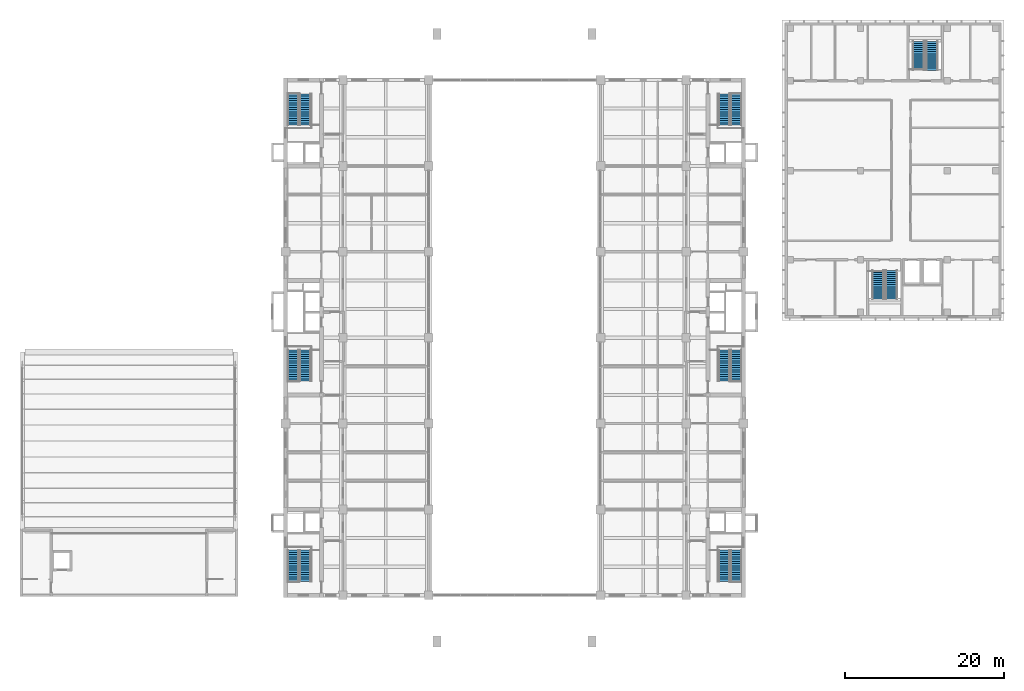
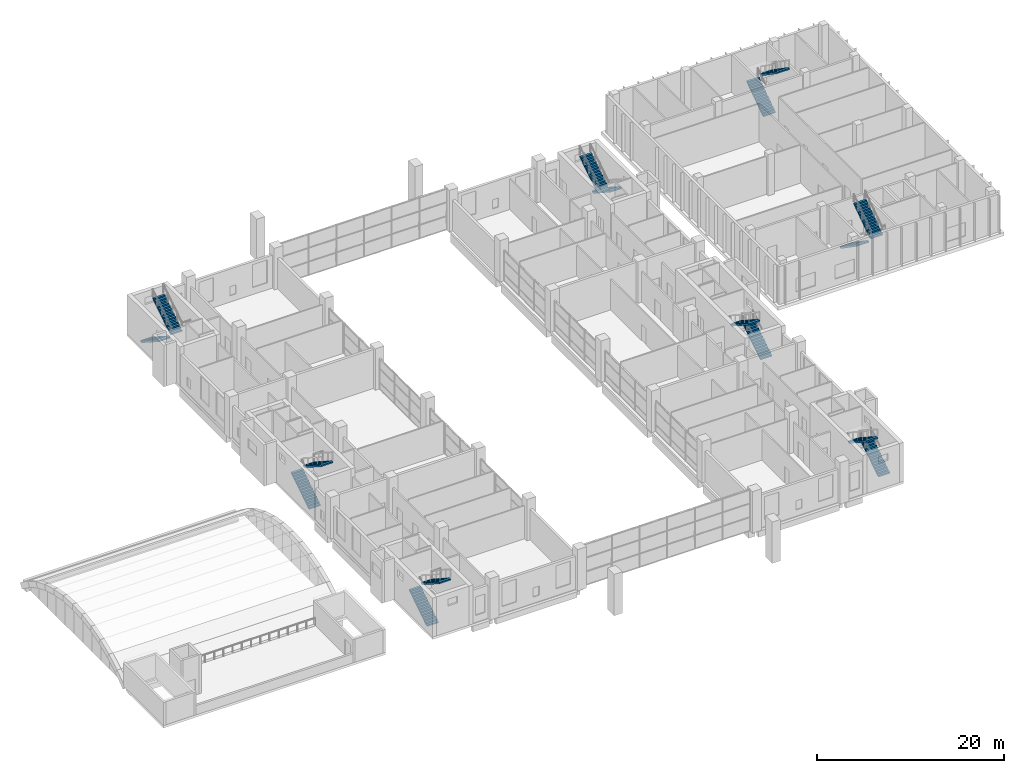
# One storey, part 27 of 32: 16 stair flights, 8 elements without a shape of their own.
"""IFC4 building model written with IfcOpenShell, lengths in metres."""

from ifc_helpers import new_model, si_unit, direction, frame, origin, place, context, subcontext, project, spatial, polyline, outline, extrude, material, type_object, element, aggregate, save


model = new_model("IFC4")

# Units and contexts
model_context = context("Model", 3, precision=1e-05, world=origin(), true_north=direction((0.0, 1.0)))
body_context = subcontext(model_context, "Body", "Model", "MODEL_VIEW")
ifc_project = project(units=[si_unit("LENGTHUNIT", "METRE"), si_unit("AREAUNIT", "SQUARE_METRE"), si_unit("VOLUMEUNIT", "CUBIC_METRE"), si_unit("PLANEANGLEUNIT", "RADIAN"), si_unit("MASSUNIT", "GRAM", prefix="KILO")], contexts=[model_context])

# Site, building, storey
site_placement = place(None, origin())
site = spatial("IfcSite", under=ifc_project, at=site_placement, CompositionType="ELEMENT")
building_placement = place(site_placement, origin())
building = spatial("IfcBuilding", under=site, at=building_placement, Name="Basin Gate Institute", CompositionType="ELEMENT")
storey_placement = place(building_placement, frame((0.0, 0.0, 11.39990234375)))
storey = spatial("IfcBuildingStorey", under=building, at=storey_placement, Name="L02", CompositionType="ELEMENT", Elevation=11.39990234375)

# Stair, stair flights
ifc_material_1 = material(Name="Concrete 40 MPa", Category="concrete")
stair_type_1 = type_object("IfcStairType", Name="Block stair ST", PredefinedType="HALF_TURN_STAIR", material=ifc_material_1)
stair_1_placement = place(storey_placement, origin())
stair_1 = element("IfcStair", 1, at=stair_1_placement, inside=storey, type_object=stair_type_1, material=ifc_material_1, Name="Clean block stair ST-C3 L02", PredefinedType="HALF_TURN_STAIR")
ifc_material_2 = material(Name="Concrete 40 MPa", Category="concrete")
stair_flight_type_1 = type_object("IfcStairFlightType", Name="Block stair flight", PredefinedType="STRAIGHT", material=ifc_material_2)
stair_flight_1_placement = place(storey_placement, frame((135.699951171875, 75.97509765625, 0.0), z_axis=(0.0, 0.0, 1.0), x_axis=(0.0, -1.0, 0.0)))
stair_flight_1 = element("IfcStairFlight", 2, at=stair_flight_1_placement, type_object=stair_flight_type_1, material=ifc_material_2, Name="ST-C3 flight 1", NumberOfRisers=15, NumberOfTreads=14, PredefinedType="STRAIGHT", RiserHeight=0.18, TreadLength=0.26, context=body_context, shape_type="SweptSolid", body=[
    extrude(outline(polyline([(0.0, 0.0), (0.0, 0.179931640625), (0.260009765625, 0.179931640625), (0.260009765625, 0.360107421875), (0.52001953125, 0.360107421875), (0.52001953125, 0.5400390625), (0.780029296875, 0.5400390625), (0.780029296875, 0.719970703125), (1.0400390625, 0.719970703125), (1.0400390625, 0.89990234375), (1.300048828125, 0.89990234375), (1.300048828125, 1.080078125), (1.56005859375, 1.080078125), (1.56005859375, 1.260009765625), (1.820068359375, 1.260009765625), (1.820068359375, 1.43994140625), (2.080078125, 1.43994140625), (2.080078125, 1.6201171875), (2.340087890625, 1.6201171875), (2.340087890625, 1.800048828125), (2.60009765625, 1.800048828125), (2.60009765625, 1.97998046875), (2.860107421875, 1.97998046875), (2.860107421875, 2.159912109375), (3.1201171875, 2.159912109375), (3.1201171875, 2.340087890625), (3.3798828125, 2.340087890625), (3.3798828125, 2.52001953125), (3.639892578125, 2.52001953125), (3.639892578125, 2.699951171875), (3.639892578125, 2.337646484375), (0.263427734375, 0.0), (0.0, 0.0)])), frame((0.0, 0.75, 0.0), z_axis=(0.0, -1.0, 0.0), x_axis=(1.0, 0.0, 0.0)), (0.0, 0.0, 1.0), 1.5),
])
stair_flight_2_placement = place(storey_placement, frame((137.39990234375, 72.3349609375, 2.7001953125), z_axis=(0.0, 0.0, 1.0), x_axis=(0.0, 1.0, 0.0)))
stair_flight_2 = element("IfcStairFlight", 3, at=stair_flight_2_placement, type_object=stair_flight_type_1, material=ifc_material_2, Name="ST-C3 flight 2", NumberOfRisers=15, NumberOfTreads=14, PredefinedType="STRAIGHT", RiserHeight=0.18, TreadLength=0.26, context=body_context, shape_type="SweptSolid", body=[
    extrude(outline(polyline([(0.0, 0.0), (0.0, 0.179931640625), (0.260009765625, 0.179931640625), (0.260009765625, 0.360107421875), (0.52001953125, 0.360107421875), (0.52001953125, 0.5400390625), (0.780029296875, 0.5400390625), (0.780029296875, 0.719970703125), (1.0400390625, 0.719970703125), (1.0400390625, 0.89990234375), (1.300048828125, 0.89990234375), (1.300048828125, 1.080078125), (1.56005859375, 1.080078125), (1.56005859375, 1.260009765625), (1.820068359375, 1.260009765625), (1.820068359375, 1.43994140625), (2.080078125, 1.43994140625), (2.080078125, 1.6201171875), (2.340087890625, 1.6201171875), (2.340087890625, 1.800048828125), (2.60009765625, 1.800048828125), (2.60009765625, 1.97998046875), (2.860107421875, 1.97998046875), (2.860107421875, 2.159912109375), (3.1201171875, 2.159912109375), (3.1201171875, 2.340087890625), (3.3798828125, 2.340087890625), (3.3798828125, 2.52001953125), (3.639892578125, 2.52001953125), (3.639892578125, 2.699951171875), (3.639892578125, 2.337646484375), (0.263427734375, 0.0), (0.0, 0.0)])), frame((0.0, 0.75, 0.0), z_axis=(0.0, -1.0, 0.0), x_axis=(1.0, 0.0, 0.0)), (0.0, 0.0, 1.0), 1.5),
])
aggregate(stair_1, [stair_flight_1, stair_flight_2])

stair_2_placement = place(storey_placement, origin())
stair_2 = element("IfcStair", 4, at=stair_2_placement, inside=storey, type_object=stair_type_1, material=ifc_material_1, Name="Clean block stair ST-C7 L02", PredefinedType="HALF_TURN_STAIR")
stair_flight_3_placement = place(storey_placement, frame((140.800048828125, 101.125, 0.0), z_axis=(0.0, 0.0, 1.0), x_axis=(0.0, 1.0, 0.0)))
stair_flight_3 = element("IfcStairFlight", 5, at=stair_flight_3_placement, type_object=stair_flight_type_1, material=ifc_material_2, Name="ST-C7 flight 1", NumberOfRisers=15, NumberOfTreads=14, PredefinedType="STRAIGHT", RiserHeight=0.18, TreadLength=0.26, context=body_context, shape_type="SweptSolid", body=[
    extrude(outline(polyline([(0.0, 0.0), (0.0, 0.179931640625), (0.260009765625, 0.179931640625), (0.260009765625, 0.360107421875), (0.52001953125, 0.360107421875), (0.52001953125, 0.5400390625), (0.780029296875, 0.5400390625), (0.780029296875, 0.719970703125), (1.0400390625, 0.719970703125), (1.0400390625, 0.89990234375), (1.300048828125, 0.89990234375), (1.300048828125, 1.080078125), (1.56005859375, 1.080078125), (1.56005859375, 1.260009765625), (1.820068359375, 1.260009765625), (1.820068359375, 1.43994140625), (2.080078125, 1.43994140625), (2.080078125, 1.6201171875), (2.340087890625, 1.6201171875), (2.340087890625, 1.800048828125), (2.60009765625, 1.800048828125), (2.60009765625, 1.97998046875), (2.860107421875, 1.97998046875), (2.860107421875, 2.159912109375), (3.1201171875, 2.159912109375), (3.1201171875, 2.340087890625), (3.3798828125, 2.340087890625), (3.3798828125, 2.52001953125), (3.639892578125, 2.52001953125), (3.639892578125, 2.699951171875), (3.639892578125, 2.337646484375), (0.263427734375, 0.0), (0.0, 0.0)])), frame((0.0, 0.75, 0.0), z_axis=(0.0, -1.0, 0.0), x_axis=(1.0, 0.0, 0.0)), (0.0, 0.0, 1.0), 1.5),
])
stair_flight_4_placement = place(storey_placement, frame((142.5, 104.764892578125, 2.7001953125), z_axis=(0.0, 0.0, 1.0), x_axis=(0.0, -1.0, 0.0)))
stair_flight_4 = element("IfcStairFlight", 6, at=stair_flight_4_placement, type_object=stair_flight_type_1, material=ifc_material_2, Name="ST-C7 flight 2", NumberOfRisers=15, NumberOfTreads=14, PredefinedType="STRAIGHT", RiserHeight=0.18, TreadLength=0.26, context=body_context, shape_type="SweptSolid", body=[
    extrude(outline(polyline([(0.0, 0.0), (0.0, 0.179931640625), (0.260009765625, 0.179931640625), (0.260009765625, 0.360107421875), (0.52001953125, 0.360107421875), (0.52001953125, 0.5400390625), (0.780029296875, 0.5400390625), (0.780029296875, 0.719970703125), (1.0400390625, 0.719970703125), (1.0400390625, 0.89990234375), (1.300048828125, 0.89990234375), (1.300048828125, 1.080078125), (1.56005859375, 1.080078125), (1.56005859375, 1.260009765625), (1.820068359375, 1.260009765625), (1.820068359375, 1.43994140625), (2.080078125, 1.43994140625), (2.080078125, 1.6201171875), (2.340087890625, 1.6201171875), (2.340087890625, 1.800048828125), (2.60009765625, 1.800048828125), (2.60009765625, 1.97998046875), (2.860107421875, 1.97998046875), (2.860107421875, 2.159912109375), (3.1201171875, 2.159912109375), (3.1201171875, 2.340087890625), (3.3798828125, 2.340087890625), (3.3798828125, 2.52001953125), (3.639892578125, 2.52001953125), (3.639892578125, 2.699951171875), (3.639892578125, 2.337646484375), (0.263427734375, 0.0), (0.0, 0.0)])), frame((0.0, 0.75, 0.0), z_axis=(0.0, -1.0, 0.0), x_axis=(1.0, 0.0, 0.0)), (0.0, 0.0, 1.0), 1.5),
])
aggregate(stair_2, [stair_flight_3, stair_flight_4])

ifc_material_3 = material(Name="Concrete 40 MPa", Category="concrete")
stair_type_2 = type_object("IfcStairType", Name="Stair ST", PredefinedType="HALF_TURN_STAIR", material=ifc_material_3)
stair_3_placement = place(storey_placement, origin())
stair_3 = element("IfcStair", 7, at=stair_3_placement, inside=storey, type_object=stair_type_2, material=ifc_material_3, Name="Special safe stair ST-WS L02", PredefinedType="HALF_TURN_STAIR")
ifc_material_4 = material(Name="Concrete 40 MPa", Category="concrete")
stair_flight_type_2 = type_object("IfcStairFlightType", Name="Stair flight FL", PredefinedType="STRAIGHT", material=ifc_material_4)
stair_flight_5_placement = place(storey_placement, frame((62.14990234375, 36.85009765625, 0.0), z_axis=(0.0, 0.0, 1.0), x_axis=(0.0, 1.0, 0.0)))
stair_flight_5 = element("IfcStairFlight", 8, at=stair_flight_5_placement, type_object=stair_flight_type_2, material=ifc_material_4, Name="Stair flight ST-WS-F1 L02", NumberOfRisers=15, NumberOfTreads=14, PredefinedType="STRAIGHT", RiserHeight=0.18, TreadLength=0.28, context=body_context, shape_type="SweptSolid", body=[
    extrude(outline(polyline([(0.0, 0.0), (0.0, 0.179931640625), (0.280029296875, 0.179931640625), (0.280029296875, 0.360107421875), (0.56005859375, 0.360107421875), (0.56005859375, 0.5400390625), (0.840087890625, 0.5400390625), (0.840087890625, 0.719970703125), (1.1201171875, 0.719970703125), (1.1201171875, 0.89990234375), (1.39990234375, 0.89990234375), (1.39990234375, 1.080078125), (1.679931640625, 1.080078125), (1.679931640625, 1.260009765625), (1.9599609375, 1.260009765625), (1.9599609375, 1.43994140625), (2.239990234375, 1.43994140625), (2.239990234375, 1.6201171875), (2.52001953125, 1.6201171875), (2.52001953125, 1.800048828125), (2.800048828125, 1.800048828125), (2.800048828125, 1.97998046875), (3.080078125, 1.97998046875), (3.080078125, 2.159912109375), (3.360107421875, 2.159912109375), (3.360107421875, 2.340087890625), (3.639892578125, 2.340087890625), (3.639892578125, 2.52001953125), (3.919921875, 2.52001953125), (3.919921875, 2.699951171875), (3.919921875, 2.341796875), (0.277099609375, 0.0), (0.0, 0.0)])), frame((0.0, 0.699951171875, 0.0), z_axis=(0.0, -1.0, 0.0), x_axis=(1.0, 0.0, 0.0)), (0.0, 0.0, 1.0), 1.39990234375),
])
stair_flight_6_placement = place(storey_placement, frame((63.64990234375, 40.77001953125, 2.7001953125), z_axis=(0.0, 0.0, 1.0), x_axis=(0.0, -1.0, 0.0)))
stair_flight_6 = element("IfcStairFlight", 9, at=stair_flight_6_placement, type_object=stair_flight_type_2, material=ifc_material_4, Name="Stair flight ST-WS-F2 L02", NumberOfRisers=15, NumberOfTreads=14, PredefinedType="STRAIGHT", RiserHeight=0.18, TreadLength=0.28, context=body_context, shape_type="SweptSolid", body=[
    extrude(outline(polyline([(0.0, 0.0), (0.0, 0.179931640625), (0.280029296875, 0.179931640625), (0.280029296875, 0.360107421875), (0.56005859375, 0.360107421875), (0.56005859375, 0.5400390625), (0.840087890625, 0.5400390625), (0.840087890625, 0.719970703125), (1.1201171875, 0.719970703125), (1.1201171875, 0.89990234375), (1.39990234375, 0.89990234375), (1.39990234375, 1.080078125), (1.679931640625, 1.080078125), (1.679931640625, 1.260009765625), (1.9599609375, 1.260009765625), (1.9599609375, 1.43994140625), (2.239990234375, 1.43994140625), (2.239990234375, 1.6201171875), (2.52001953125, 1.6201171875), (2.52001953125, 1.800048828125), (2.800048828125, 1.800048828125), (2.800048828125, 1.97998046875), (3.080078125, 1.97998046875), (3.080078125, 2.159912109375), (3.360107421875, 2.159912109375), (3.360107421875, 2.340087890625), (3.639892578125, 2.340087890625), (3.639892578125, 2.52001953125), (3.919921875, 2.52001953125), (3.919921875, 2.699951171875), (3.919921875, 2.341796875), (0.277099609375, 0.0), (0.0, 0.0)])), frame((0.0, 0.699951171875, 0.0), z_axis=(0.0, -1.0, 0.0), x_axis=(1.0, 0.0, 0.0)), (0.0, 0.0, 1.0), 1.39990234375),
])
aggregate(stair_3, [stair_flight_5, stair_flight_6])

stair_4_placement = place(storey_placement, origin())
stair_4 = element("IfcStair", 10, at=stair_4_placement, inside=storey, type_object=stair_type_2, material=ifc_material_3, Name="Special safe stair ST-WM L02", PredefinedType="HALF_TURN_STAIR")
stair_flight_7_placement = place(storey_placement, frame((62.14990234375, 62.050048828125, 0.0), z_axis=(0.0, 0.0, 1.0), x_axis=(0.0, 1.0, 0.0)))
stair_flight_7 = element("IfcStairFlight", 11, at=stair_flight_7_placement, type_object=stair_flight_type_2, material=ifc_material_4, Name="Stair flight ST-WM-F1 L02", NumberOfRisers=15, NumberOfTreads=14, PredefinedType="STRAIGHT", RiserHeight=0.18, TreadLength=0.28, context=body_context, shape_type="SweptSolid", body=[
    extrude(outline(polyline([(0.0, 0.0), (0.0, 0.179931640625), (0.280029296875, 0.179931640625), (0.280029296875, 0.360107421875), (0.56005859375, 0.360107421875), (0.56005859375, 0.5400390625), (0.840087890625, 0.5400390625), (0.840087890625, 0.719970703125), (1.1201171875, 0.719970703125), (1.1201171875, 0.89990234375), (1.39990234375, 0.89990234375), (1.39990234375, 1.080078125), (1.679931640625, 1.080078125), (1.679931640625, 1.260009765625), (1.9599609375, 1.260009765625), (1.9599609375, 1.43994140625), (2.239990234375, 1.43994140625), (2.239990234375, 1.6201171875), (2.52001953125, 1.6201171875), (2.52001953125, 1.800048828125), (2.800048828125, 1.800048828125), (2.800048828125, 1.97998046875), (3.080078125, 1.97998046875), (3.080078125, 2.159912109375), (3.360107421875, 2.159912109375), (3.360107421875, 2.340087890625), (3.639892578125, 2.340087890625), (3.639892578125, 2.52001953125), (3.919921875, 2.52001953125), (3.919921875, 2.699951171875), (3.919921875, 2.341796875), (0.277099609375, 0.0), (0.0, 0.0)])), frame((0.0, 0.699951171875, 0.0), z_axis=(0.0, -1.0, 0.0), x_axis=(1.0, 0.0, 0.0)), (0.0, 0.0, 1.0), 1.39990234375),
])
stair_flight_8_placement = place(storey_placement, frame((63.64990234375, 65.969970703125, 2.7001953125), z_axis=(0.0, 0.0, 1.0), x_axis=(0.0, -1.0, 0.0)))
stair_flight_8 = element("IfcStairFlight", 12, at=stair_flight_8_placement, type_object=stair_flight_type_2, material=ifc_material_4, Name="Stair flight ST-WM-F2 L02", NumberOfRisers=15, NumberOfTreads=14, PredefinedType="STRAIGHT", RiserHeight=0.18, TreadLength=0.28, context=body_context, shape_type="SweptSolid", body=[
    extrude(outline(polyline([(0.0, 0.0), (0.0, 0.179931640625), (0.280029296875, 0.179931640625), (0.280029296875, 0.360107421875), (0.56005859375, 0.360107421875), (0.56005859375, 0.5400390625), (0.840087890625, 0.5400390625), (0.840087890625, 0.719970703125), (1.1201171875, 0.719970703125), (1.1201171875, 0.89990234375), (1.39990234375, 0.89990234375), (1.39990234375, 1.080078125), (1.679931640625, 1.080078125), (1.679931640625, 1.260009765625), (1.9599609375, 1.260009765625), (1.9599609375, 1.43994140625), (2.239990234375, 1.43994140625), (2.239990234375, 1.6201171875), (2.52001953125, 1.6201171875), (2.52001953125, 1.800048828125), (2.800048828125, 1.800048828125), (2.800048828125, 1.97998046875), (3.080078125, 1.97998046875), (3.080078125, 2.159912109375), (3.360107421875, 2.159912109375), (3.360107421875, 2.340087890625), (3.639892578125, 2.340087890625), (3.639892578125, 2.52001953125), (3.919921875, 2.52001953125), (3.919921875, 2.699951171875), (3.919921875, 2.341796875), (0.277099609375, 0.0), (0.0, 0.0)])), frame((0.0, 0.699951171875, 0.0), z_axis=(0.0, -1.0, 0.0), x_axis=(1.0, 0.0, 0.0)), (0.0, 0.0, 1.0), 1.39990234375),
])
aggregate(stair_4, [stair_flight_7, stair_flight_8])

stair_5_placement = place(storey_placement, origin())
stair_5 = element("IfcStair", 13, at=stair_5_placement, inside=storey, type_object=stair_type_2, material=ifc_material_3, Name="Special safe stair ST-WN L02", PredefinedType="HALF_TURN_STAIR")
stair_flight_9_placement = place(storey_placement, frame((62.14990234375, 98.14990234375, 0.0), z_axis=(0.0, 0.0, 1.0), x_axis=(0.0, -1.0, 0.0)))
stair_flight_9 = element("IfcStairFlight", 14, at=stair_flight_9_placement, type_object=stair_flight_type_2, material=ifc_material_4, Name="Stair flight ST-WN-F1 L02", NumberOfRisers=15, NumberOfTreads=14, PredefinedType="STRAIGHT", RiserHeight=0.18, TreadLength=0.28, context=body_context, shape_type="SweptSolid", body=[
    extrude(outline(polyline([(0.0, 0.0), (0.0, 0.179931640625), (0.280029296875, 0.179931640625), (0.280029296875, 0.360107421875), (0.56005859375, 0.360107421875), (0.56005859375, 0.5400390625), (0.840087890625, 0.5400390625), (0.840087890625, 0.719970703125), (1.1201171875, 0.719970703125), (1.1201171875, 0.89990234375), (1.39990234375, 0.89990234375), (1.39990234375, 1.080078125), (1.679931640625, 1.080078125), (1.679931640625, 1.260009765625), (1.9599609375, 1.260009765625), (1.9599609375, 1.43994140625), (2.239990234375, 1.43994140625), (2.239990234375, 1.6201171875), (2.52001953125, 1.6201171875), (2.52001953125, 1.800048828125), (2.800048828125, 1.800048828125), (2.800048828125, 1.97998046875), (3.080078125, 1.97998046875), (3.080078125, 2.159912109375), (3.360107421875, 2.159912109375), (3.360107421875, 2.340087890625), (3.639892578125, 2.340087890625), (3.639892578125, 2.52001953125), (3.919921875, 2.52001953125), (3.919921875, 2.699951171875), (3.919921875, 2.341796875), (0.277099609375, 0.0), (0.0, 0.0)])), frame((0.0, 0.699951171875, 0.0), z_axis=(0.0, -1.0, 0.0), x_axis=(1.0, 0.0, 0.0)), (0.0, 0.0, 1.0), 1.39990234375),
])
stair_flight_10_placement = place(storey_placement, frame((63.64990234375, 94.22998046875, 2.7001953125), z_axis=(0.0, 0.0, 1.0), x_axis=(0.0, 1.0, 0.0)))
stair_flight_10 = element("IfcStairFlight", 15, at=stair_flight_10_placement, type_object=stair_flight_type_2, material=ifc_material_4, Name="Stair flight ST-WN-F2 L02", NumberOfRisers=15, NumberOfTreads=14, PredefinedType="STRAIGHT", RiserHeight=0.18, TreadLength=0.28, context=body_context, shape_type="SweptSolid", body=[
    extrude(outline(polyline([(0.0, 0.0), (0.0, 0.179931640625), (0.280029296875, 0.179931640625), (0.280029296875, 0.360107421875), (0.56005859375, 0.360107421875), (0.56005859375, 0.5400390625), (0.840087890625, 0.5400390625), (0.840087890625, 0.719970703125), (1.1201171875, 0.719970703125), (1.1201171875, 0.89990234375), (1.39990234375, 0.89990234375), (1.39990234375, 1.080078125), (1.679931640625, 1.080078125), (1.679931640625, 1.260009765625), (1.9599609375, 1.260009765625), (1.9599609375, 1.43994140625), (2.239990234375, 1.43994140625), (2.239990234375, 1.6201171875), (2.52001953125, 1.6201171875), (2.52001953125, 1.800048828125), (2.800048828125, 1.800048828125), (2.800048828125, 1.97998046875), (3.080078125, 1.97998046875), (3.080078125, 2.159912109375), (3.360107421875, 2.159912109375), (3.360107421875, 2.340087890625), (3.639892578125, 2.340087890625), (3.639892578125, 2.52001953125), (3.919921875, 2.52001953125), (3.919921875, 2.699951171875), (3.919921875, 2.341796875), (0.277099609375, 0.0), (0.0, 0.0)])), frame((0.0, 0.699951171875, 0.0), z_axis=(0.0, -1.0, 0.0), x_axis=(1.0, 0.0, 0.0)), (0.0, 0.0, 1.0), 1.39990234375),
])
aggregate(stair_5, [stair_flight_9, stair_flight_10])

stair_6_placement = place(storey_placement, origin())
stair_6 = element("IfcStair", 16, at=stair_6_placement, inside=storey, type_object=stair_type_2, material=ifc_material_3, Name="Special safe stair ST-ES L02", PredefinedType="HALF_TURN_STAIR")
stair_flight_11_placement = place(storey_placement, frame((117.85009765625, 36.85009765625, 0.0), z_axis=(0.0, 0.0, 1.0), x_axis=(0.0, 1.0, 0.0)))
stair_flight_11 = element("IfcStairFlight", 17, at=stair_flight_11_placement, type_object=stair_flight_type_2, material=ifc_material_4, Name="Stair flight ST-ES-F1 L02", NumberOfRisers=15, NumberOfTreads=14, PredefinedType="STRAIGHT", RiserHeight=0.18, TreadLength=0.28, context=body_context, shape_type="SweptSolid", body=[
    extrude(outline(polyline([(0.0, 0.0), (0.0, 0.179931640625), (0.280029296875, 0.179931640625), (0.280029296875, 0.360107421875), (0.56005859375, 0.360107421875), (0.56005859375, 0.5400390625), (0.840087890625, 0.5400390625), (0.840087890625, 0.719970703125), (1.1201171875, 0.719970703125), (1.1201171875, 0.89990234375), (1.39990234375, 0.89990234375), (1.39990234375, 1.080078125), (1.679931640625, 1.080078125), (1.679931640625, 1.260009765625), (1.9599609375, 1.260009765625), (1.9599609375, 1.43994140625), (2.239990234375, 1.43994140625), (2.239990234375, 1.6201171875), (2.52001953125, 1.6201171875), (2.52001953125, 1.800048828125), (2.800048828125, 1.800048828125), (2.800048828125, 1.97998046875), (3.080078125, 1.97998046875), (3.080078125, 2.159912109375), (3.360107421875, 2.159912109375), (3.360107421875, 2.340087890625), (3.639892578125, 2.340087890625), (3.639892578125, 2.52001953125), (3.919921875, 2.52001953125), (3.919921875, 2.699951171875), (3.919921875, 2.341796875), (0.277099609375, 0.0), (0.0, 0.0)])), frame((0.0, 0.699951171875, 0.0), z_axis=(0.0, -1.0, 0.0), x_axis=(1.0, 0.0, 0.0)), (0.0, 0.0, 1.0), 1.39990234375),
])
stair_flight_12_placement = place(storey_placement, frame((116.35009765625, 40.77001953125, 2.7001953125), z_axis=(0.0, 0.0, 1.0), x_axis=(0.0, -1.0, 0.0)))
stair_flight_12 = element("IfcStairFlight", 18, at=stair_flight_12_placement, type_object=stair_flight_type_2, material=ifc_material_4, Name="Stair flight ST-ES-F2 L02", NumberOfRisers=15, NumberOfTreads=14, PredefinedType="STRAIGHT", RiserHeight=0.18, TreadLength=0.28, context=body_context, shape_type="SweptSolid", body=[
    extrude(outline(polyline([(0.0, 0.0), (0.0, 0.179931640625), (0.280029296875, 0.179931640625), (0.280029296875, 0.360107421875), (0.56005859375, 0.360107421875), (0.56005859375, 0.5400390625), (0.840087890625, 0.5400390625), (0.840087890625, 0.719970703125), (1.1201171875, 0.719970703125), (1.1201171875, 0.89990234375), (1.39990234375, 0.89990234375), (1.39990234375, 1.080078125), (1.679931640625, 1.080078125), (1.679931640625, 1.260009765625), (1.9599609375, 1.260009765625), (1.9599609375, 1.43994140625), (2.239990234375, 1.43994140625), (2.239990234375, 1.6201171875), (2.52001953125, 1.6201171875), (2.52001953125, 1.800048828125), (2.800048828125, 1.800048828125), (2.800048828125, 1.97998046875), (3.080078125, 1.97998046875), (3.080078125, 2.159912109375), (3.360107421875, 2.159912109375), (3.360107421875, 2.340087890625), (3.639892578125, 2.340087890625), (3.639892578125, 2.52001953125), (3.919921875, 2.52001953125), (3.919921875, 2.699951171875), (3.919921875, 2.341796875), (0.277099609375, 0.0), (0.0, 0.0)])), frame((0.0, 0.699951171875, 0.0), z_axis=(0.0, -1.0, 0.0), x_axis=(1.0, 0.0, 0.0)), (0.0, 0.0, 1.0), 1.39990234375),
])
aggregate(stair_6, [stair_flight_11, stair_flight_12])

stair_7_placement = place(storey_placement, origin())
stair_7 = element("IfcStair", 19, at=stair_7_placement, inside=storey, type_object=stair_type_2, material=ifc_material_3, Name="Special safe stair ST-EM L02", PredefinedType="HALF_TURN_STAIR")
stair_flight_13_placement = place(storey_placement, frame((117.85009765625, 62.050048828125, 0.0), z_axis=(0.0, 0.0, 1.0), x_axis=(0.0, 1.0, 0.0)))
stair_flight_13 = element("IfcStairFlight", 20, at=stair_flight_13_placement, type_object=stair_flight_type_2, material=ifc_material_4, Name="Stair flight ST-EM-F1 L02", NumberOfRisers=15, NumberOfTreads=14, PredefinedType="STRAIGHT", RiserHeight=0.18, TreadLength=0.28, context=body_context, shape_type="SweptSolid", body=[
    extrude(outline(polyline([(0.0, 0.0), (0.0, 0.179931640625), (0.280029296875, 0.179931640625), (0.280029296875, 0.360107421875), (0.56005859375, 0.360107421875), (0.56005859375, 0.5400390625), (0.840087890625, 0.5400390625), (0.840087890625, 0.719970703125), (1.1201171875, 0.719970703125), (1.1201171875, 0.89990234375), (1.39990234375, 0.89990234375), (1.39990234375, 1.080078125), (1.679931640625, 1.080078125), (1.679931640625, 1.260009765625), (1.9599609375, 1.260009765625), (1.9599609375, 1.43994140625), (2.239990234375, 1.43994140625), (2.239990234375, 1.6201171875), (2.52001953125, 1.6201171875), (2.52001953125, 1.800048828125), (2.800048828125, 1.800048828125), (2.800048828125, 1.97998046875), (3.080078125, 1.97998046875), (3.080078125, 2.159912109375), (3.360107421875, 2.159912109375), (3.360107421875, 2.340087890625), (3.639892578125, 2.340087890625), (3.639892578125, 2.52001953125), (3.919921875, 2.52001953125), (3.919921875, 2.699951171875), (3.919921875, 2.341796875), (0.277099609375, 0.0), (0.0, 0.0)])), frame((0.0, 0.699951171875, 0.0), z_axis=(0.0, -1.0, 0.0), x_axis=(1.0, 0.0, 0.0)), (0.0, 0.0, 1.0), 1.39990234375),
])
stair_flight_14_placement = place(storey_placement, frame((116.35009765625, 65.969970703125, 2.7001953125), z_axis=(0.0, 0.0, 1.0), x_axis=(0.0, -1.0, 0.0)))
stair_flight_14 = element("IfcStairFlight", 21, at=stair_flight_14_placement, type_object=stair_flight_type_2, material=ifc_material_4, Name="Stair flight ST-EM-F2 L02", NumberOfRisers=15, NumberOfTreads=14, PredefinedType="STRAIGHT", RiserHeight=0.18, TreadLength=0.28, context=body_context, shape_type="SweptSolid", body=[
    extrude(outline(polyline([(0.0, 0.0), (0.0, 0.179931640625), (0.280029296875, 0.179931640625), (0.280029296875, 0.360107421875), (0.56005859375, 0.360107421875), (0.56005859375, 0.5400390625), (0.840087890625, 0.5400390625), (0.840087890625, 0.719970703125), (1.1201171875, 0.719970703125), (1.1201171875, 0.89990234375), (1.39990234375, 0.89990234375), (1.39990234375, 1.080078125), (1.679931640625, 1.080078125), (1.679931640625, 1.260009765625), (1.9599609375, 1.260009765625), (1.9599609375, 1.43994140625), (2.239990234375, 1.43994140625), (2.239990234375, 1.6201171875), (2.52001953125, 1.6201171875), (2.52001953125, 1.800048828125), (2.800048828125, 1.800048828125), (2.800048828125, 1.97998046875), (3.080078125, 1.97998046875), (3.080078125, 2.159912109375), (3.360107421875, 2.159912109375), (3.360107421875, 2.340087890625), (3.639892578125, 2.340087890625), (3.639892578125, 2.52001953125), (3.919921875, 2.52001953125), (3.919921875, 2.699951171875), (3.919921875, 2.341796875), (0.277099609375, 0.0), (0.0, 0.0)])), frame((0.0, 0.699951171875, 0.0), z_axis=(0.0, -1.0, 0.0), x_axis=(1.0, 0.0, 0.0)), (0.0, 0.0, 1.0), 1.39990234375),
])
aggregate(stair_7, [stair_flight_13, stair_flight_14])

stair_8_placement = place(storey_placement, origin())
stair_8 = element("IfcStair", 22, at=stair_8_placement, inside=storey, type_object=stair_type_2, material=ifc_material_3, Name="Special safe stair ST-EN L02", PredefinedType="HALF_TURN_STAIR")
stair_flight_15_placement = place(storey_placement, frame((117.85009765625, 98.14990234375, 0.0), z_axis=(0.0, 0.0, 1.0), x_axis=(0.0, -1.0, 0.0)))
stair_flight_15 = element("IfcStairFlight", 23, at=stair_flight_15_placement, type_object=stair_flight_type_2, material=ifc_material_4, Name="Stair flight ST-EN-F1 L02", NumberOfRisers=15, NumberOfTreads=14, PredefinedType="STRAIGHT", RiserHeight=0.18, TreadLength=0.28, context=body_context, shape_type="SweptSolid", body=[
    extrude(outline(polyline([(0.0, 0.0), (0.0, 0.179931640625), (0.280029296875, 0.179931640625), (0.280029296875, 0.360107421875), (0.56005859375, 0.360107421875), (0.56005859375, 0.5400390625), (0.840087890625, 0.5400390625), (0.840087890625, 0.719970703125), (1.1201171875, 0.719970703125), (1.1201171875, 0.89990234375), (1.39990234375, 0.89990234375), (1.39990234375, 1.080078125), (1.679931640625, 1.080078125), (1.679931640625, 1.260009765625), (1.9599609375, 1.260009765625), (1.9599609375, 1.43994140625), (2.239990234375, 1.43994140625), (2.239990234375, 1.6201171875), (2.52001953125, 1.6201171875), (2.52001953125, 1.800048828125), (2.800048828125, 1.800048828125), (2.800048828125, 1.97998046875), (3.080078125, 1.97998046875), (3.080078125, 2.159912109375), (3.360107421875, 2.159912109375), (3.360107421875, 2.340087890625), (3.639892578125, 2.340087890625), (3.639892578125, 2.52001953125), (3.919921875, 2.52001953125), (3.919921875, 2.699951171875), (3.919921875, 2.341796875), (0.277099609375, 0.0), (0.0, 0.0)])), frame((0.0, 0.699951171875, 0.0), z_axis=(0.0, -1.0, 0.0), x_axis=(1.0, 0.0, 0.0)), (0.0, 0.0, 1.0), 1.39990234375),
])
stair_flight_16_placement = place(storey_placement, frame((116.35009765625, 94.22998046875, 2.7001953125), z_axis=(0.0, 0.0, 1.0), x_axis=(0.0, 1.0, 0.0)))
stair_flight_16 = element("IfcStairFlight", 24, at=stair_flight_16_placement, type_object=stair_flight_type_2, material=ifc_material_4, Name="Stair flight ST-EN-F2 L02", NumberOfRisers=15, NumberOfTreads=14, PredefinedType="STRAIGHT", RiserHeight=0.18, TreadLength=0.28, context=body_context, shape_type="SweptSolid", body=[
    extrude(outline(polyline([(0.0, 0.0), (0.0, 0.179931640625), (0.280029296875, 0.179931640625), (0.280029296875, 0.360107421875), (0.56005859375, 0.360107421875), (0.56005859375, 0.5400390625), (0.840087890625, 0.5400390625), (0.840087890625, 0.719970703125), (1.1201171875, 0.719970703125), (1.1201171875, 0.89990234375), (1.39990234375, 0.89990234375), (1.39990234375, 1.080078125), (1.679931640625, 1.080078125), (1.679931640625, 1.260009765625), (1.9599609375, 1.260009765625), (1.9599609375, 1.43994140625), (2.239990234375, 1.43994140625), (2.239990234375, 1.6201171875), (2.52001953125, 1.6201171875), (2.52001953125, 1.800048828125), (2.800048828125, 1.800048828125), (2.800048828125, 1.97998046875), (3.080078125, 1.97998046875), (3.080078125, 2.159912109375), (3.360107421875, 2.159912109375), (3.360107421875, 2.340087890625), (3.639892578125, 2.340087890625), (3.639892578125, 2.52001953125), (3.919921875, 2.52001953125), (3.919921875, 2.699951171875), (3.919921875, 2.341796875), (0.277099609375, 0.0), (0.0, 0.0)])), frame((0.0, 0.699951171875, 0.0), z_axis=(0.0, -1.0, 0.0), x_axis=(1.0, 0.0, 0.0)), (0.0, 0.0, 1.0), 1.39990234375),
])
aggregate(stair_8, [stair_flight_15, stair_flight_16])

save(model, "model.ifc")
